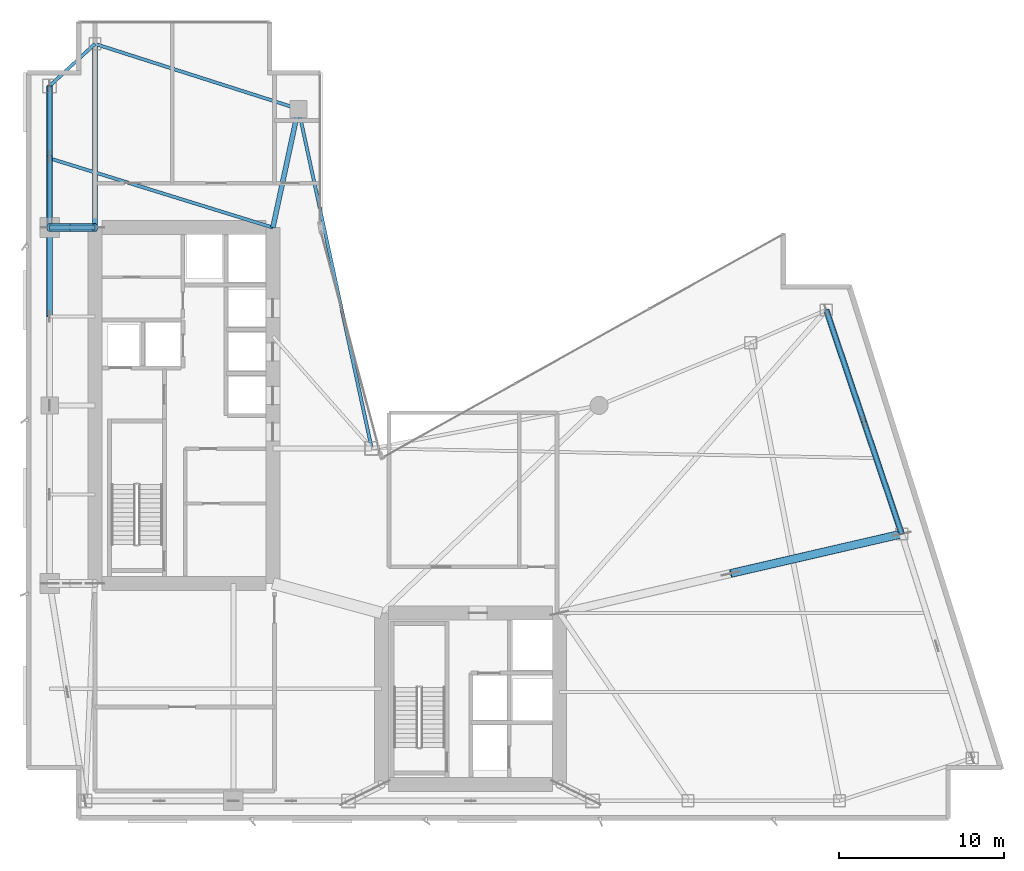
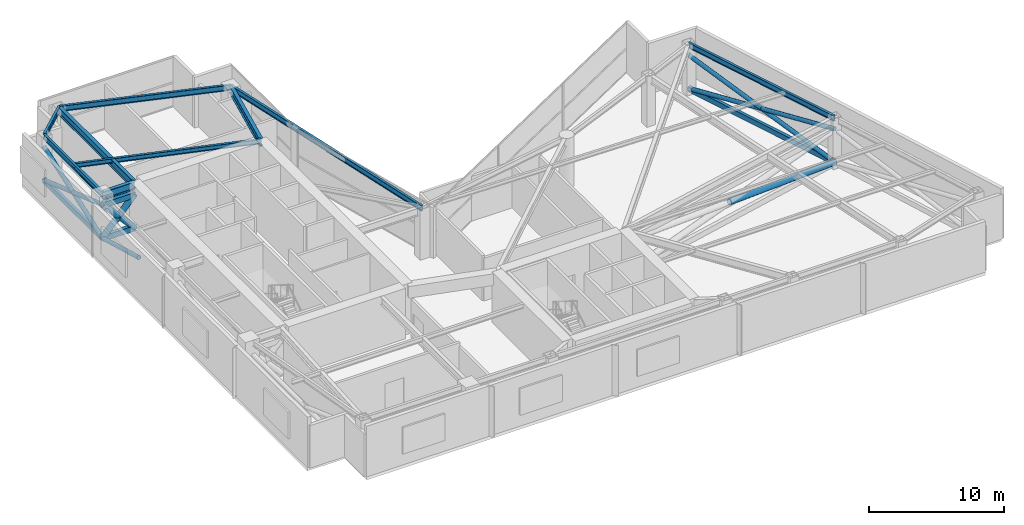
# One storey, part 7 of 19: 15 members, 9 beams.
"""IFC4 building model written with IfcOpenShell, lengths in metres."""

from ifc_helpers import new_model, si_unit, direction, frame, origin, origin_2d, place, context, subcontext, project, spatial, hollow_rectangle, hollow_circle, i_section, extrude, material, material_profile, profile_set, type_object, element, save


model = new_model("IFC4")

# Units and contexts
model_context = context("Model", 3, precision=1e-05, world=origin(), true_north=direction((0.0, 1.0)))
body_context = subcontext(model_context, "Body", "Model", "MODEL_VIEW")
ifc_project = project(units=[si_unit("LENGTHUNIT", "METRE"), si_unit("AREAUNIT", "SQUARE_METRE"), si_unit("VOLUMEUNIT", "CUBIC_METRE"), si_unit("PLANEANGLEUNIT", "RADIAN"), si_unit("MASSUNIT", "GRAM", prefix="KILO")], contexts=[model_context])

# Site, building, storey
site_placement = place(None, origin())
site = spatial("IfcSite", under=ifc_project, at=site_placement, CompositionType="ELEMENT")
building_placement = place(site_placement, origin())
building = spatial("IfcBuilding", under=site, at=building_placement, Name="Calvorn Quay Hotel", CompositionType="ELEMENT")
storey_placement = place(building_placement, frame((0.0, 0.0, 139.199951171875)))
storey = spatial("IfcBuildingStorey", under=building, at=storey_placement, Name="L34", CompositionType="ELEMENT", Elevation=139.199951171875)

# Beams
ifc_material_1 = material(Name="Steel Q390GJC", Category="steel")
ifc_material_profile_1 = material_profile(ifc_material_1, i_section(OverallWidth=0.300048828125, OverallDepth=0.699951171875, WebThickness=0.012939453125, FlangeThickness=0.02392578125, FilletRadius=0.02392578125, at=origin_2d()), Name="HN700x300x13x24")
ifc_profile_set_1 = profile_set([ifc_material_profile_1], Name="Steel Q390GJC")
beam_type_1 = type_object("IfcBeamType", Name="BM-GIRD-MAIN", PredefinedType="BEAM", material=ifc_profile_set_1)
beam_1_placement = place(storey_placement, frame((1.449951171875, 38.39990234375, 4.18994140625), z_axis=(1.0, 0.0, 0.0), x_axis=(0.0, 1.0, 0.0)))
element("IfcBeam", 1, at=beam_1_placement, inside=storey, type_object=beam_type_1, Name="Beam BG-L34-W3", PredefinedType="BEAM", context=body_context, shape_type="SweptSolid", body=[
    extrude(i_section(OverallWidth=0.300048828125, OverallDepth=0.699951171875, WebThickness=0.012939453125, FlangeThickness=0.02392578125, FilletRadius=0.02392578125, at=origin_2d()), origin(), (0.0, 0.0, 1.0), 2.75),
])
beam_2_placement = place(storey_placement, frame((4.199951171875, 49.550048828125, 4.18994140625), z_axis=(0.0, -1.0, 0.0), x_axis=(1.0, 0.0, 0.0)))
element("IfcBeam", 2, at=beam_2_placement, inside=storey, type_object=beam_type_1, Name="Beam BG-L34-W5", PredefinedType="BEAM", context=body_context, shape_type="SweptSolid", body=[
    extrude(i_section(OverallWidth=0.300048828125, OverallDepth=0.699951171875, WebThickness=0.012939453125, FlangeThickness=0.02392578125, FilletRadius=0.02392578125, at=origin_2d()), origin(), (0.0, 0.0, 1.0), 11.150146484375),
])
beam_3_placement = place(storey_placement, frame((16.550048828125, 45.60009765625, 4.18994140625), z_axis=(-0.210457140491, -0.97760308511, 0.0), x_axis=(0.97760308511, -0.210457140491, 0.0)))
element("IfcBeam", 3, at=beam_3_placement, inside=storey, type_object=beam_type_1, Name="Beam BG-L34-W6", PredefinedType="BEAM", context=body_context, shape_type="SweptSolid", body=[
    extrude(i_section(OverallWidth=0.300048828125, OverallDepth=0.699951171875, WebThickness=0.012939453125, FlangeThickness=0.02392578125, FilletRadius=0.02392578125, at=origin_2d()), origin(), (0.0, 0.0, 1.0), 7.365234375),
])
ifc_material_2 = material(Name="Steel Q355B", Category="steel")
ifc_material_profile_2 = material_profile(ifc_material_2, i_section(OverallWidth=0.199951171875, OverallDepth=0.39990234375, WebThickness=0.008056640625, FlangeThickness=0.012939453125, FilletRadius=0.01611328125, at=origin_2d()), Name="HN400x200x8x13")
ifc_profile_set_2 = profile_set([ifc_material_profile_2], Name="Steel Q355B")
beam_type_2 = type_object("IfcBeamType", Name="BM-JOIST-TYP", PredefinedType="JOIST", material=ifc_profile_set_2)
beam_4_placement = place(storey_placement, frame((1.449951171875, 42.60009765625, 4.340087890625), z_axis=(0.955163702122, -0.296078202759, 0.0), x_axis=(0.296078202759, 0.955163702122, 0.0)))
element("IfcBeam", 4, at=beam_4_placement, inside=storey, type_object=beam_type_2, Name="Beam BJ-L34-W2", PredefinedType="JOIST", context=body_context, shape_type="SweptSolid", body=[
    extrude(i_section(OverallWidth=0.199951171875, OverallDepth=0.39990234375, WebThickness=0.008056640625, FlangeThickness=0.012939453125, FilletRadius=0.01611328125, at=origin_2d()), origin(), (0.0, 0.0, 1.0), 14.18603515625),
])
ifc_material_3 = material(Name="Steel Q355B", Category="steel")
ifc_material_profile_3 = material_profile(ifc_material_3, i_section(OverallWidth=0.199951171875, OverallDepth=0.5, WebThickness=0.010009765625, FlangeThickness=0.01611328125, FilletRadius=0.01611328125, at=origin_2d()), Name="HN500x200x10x16")
ifc_profile_set_3 = profile_set([ifc_material_profile_3], Name="Steel Q355B")
beam_type_3 = type_object("IfcBeamType", Name="BM-SPANDREL-Z1", PredefinedType="SPANDREL", material=ifc_profile_set_3)
beam_5_placement = place(storey_placement, frame((1.449951171875, 38.39990234375, 4.2900390625), z_axis=(0.0, 1.0, 0.0), x_axis=(-1.0, 0.0, 0.0)))
element("IfcBeam", 5, at=beam_5_placement, inside=storey, type_object=beam_type_3, Name="Beam BSP-L34-W4", PredefinedType="SPANDREL", context=body_context, shape_type="SweptSolid", body=[
    extrude(i_section(OverallWidth=0.199951171875, OverallDepth=0.5, WebThickness=0.010009765625, FlangeThickness=0.01611328125, FilletRadius=0.01611328125, at=origin_2d()), origin(), (0.0, 0.0, 1.0), 8.60009765625),
])
beam_6_placement = place(storey_placement, frame((1.449951171875, 47.0, 4.2900390625), z_axis=(0.733261665538, 0.679946563969, 0.0), x_axis=(-0.679946563969, 0.733261665538, 0.0)))
element("IfcBeam", 6, at=beam_6_placement, inside=storey, type_object=beam_type_3, Name="Beam BSP-L34-W5", PredefinedType="SPANDREL", context=body_context, shape_type="SweptSolid", body=[
    extrude(i_section(OverallWidth=0.199951171875, OverallDepth=0.5, WebThickness=0.010009765625, FlangeThickness=0.01611328125, FilletRadius=0.01611328125, at=origin_2d()), origin(), (0.0, 0.0, 1.0), 3.75048828125),
])
beam_7_placement = place(storey_placement, frame((4.199951171875, 49.550048828125, 4.2900390625), z_axis=(0.952470702374, -0.304630203885, 0.0), x_axis=(0.304630203885, 0.952470702374, 0.0)))
element("IfcBeam", 7, at=beam_7_placement, inside=storey, type_object=beam_type_3, Name="Beam BSP-L34-W6", PredefinedType="SPANDREL", context=body_context, shape_type="SweptSolid", body=[
    extrude(i_section(OverallWidth=0.199951171875, OverallDepth=0.5, WebThickness=0.010009765625, FlangeThickness=0.01611328125, FilletRadius=0.01611328125, at=origin_2d()), origin(), (0.0, 0.0, 1.0), 12.96630859375),
])
beam_8_placement = place(storey_placement, frame((16.550048828125, 45.60009765625, 4.2900390625), z_axis=(0.211145848376, -0.977454567084, 0.0), x_axis=(0.977454567084, 0.211145848376, 0.0)))
element("IfcBeam", 8, at=beam_8_placement, inside=storey, type_object=beam_type_3, Name="Beam BSP-L34-W7", PredefinedType="SPANDREL", context=body_context, shape_type="SweptSolid", body=[
    extrude(i_section(OverallWidth=0.199951171875, OverallDepth=0.5, WebThickness=0.010009765625, FlangeThickness=0.01611328125, FilletRadius=0.01611328125, at=origin_2d()), origin(), (0.0, 0.0, 1.0), 21.0751953125),
])
beam_9_placement = place(storey_placement, frame((53.176025390625, 19.800048828125, 4.2900390625), z_axis=(-0.319466515944, 0.947597564998, 0.0), x_axis=(-0.947597564998, -0.319466515944, 0.0)))
element("IfcBeam", 9, at=beam_9_placement, inside=storey, type_object=beam_type_3, Name="Beam BSP-L34-E2", PredefinedType="SPANDREL", context=body_context, shape_type="SweptSolid", body=[
    extrude(i_section(OverallWidth=0.199951171875, OverallDepth=0.5, WebThickness=0.010009765625, FlangeThickness=0.01611328125, FilletRadius=0.01611328125, at=origin_2d()), origin(), (0.0, 0.0, 1.0), 14.35205078125),
])

# Members
ifc_material_4 = material(Name="Steel Q390GJC", Category="steel")
ifc_material_profile_4 = material_profile(ifc_material_4, hollow_rectangle(XDim=0.25, YDim=0.449951171875, WallThickness=0.01611328125, at=origin_2d()), Name="RHS450x250x16")
ifc_profile_set_4 = profile_set([ifc_material_profile_4], Name="Steel Q390GJC")
member_type_1 = type_object("IfcMemberType", Name="MEM-BELT-CHORD", PredefinedType="CHORD", material=ifc_profile_set_4)
member_1_placement = place(storey_placement, frame((1.449951171875, 38.39990234375, 0.35009765625), z_axis=(0.0, 1.0, 0.0), x_axis=(-1.0, 0.0, 0.0)))
element("IfcMember", 10, at=member_1_placement, inside=storey, type_object=member_type_1, Name="Belt Truss Chord L34-BW4", PredefinedType="CHORD", context=body_context, shape_type="SweptSolid", body=[
    extrude(hollow_rectangle(XDim=0.25, YDim=0.449951171875, WallThickness=0.01611328125, at=origin_2d()), origin(), (0.0, 0.0, 1.0), 8.60009765625),
])
member_2_placement = place(storey_placement, frame((53.176025390625, 19.800048828125, 0.35009765625), z_axis=(-0.319466515944, 0.947597564998, 0.0), x_axis=(-0.947597564998, -0.319466515944, 0.0)))
element("IfcMember", 11, at=member_2_placement, inside=storey, type_object=member_type_1, Name="Belt Truss Chord L34-BE2", PredefinedType="CHORD", context=body_context, shape_type="SweptSolid", body=[
    extrude(hollow_rectangle(XDim=0.25, YDim=0.449951171875, WallThickness=0.01611328125, at=origin_2d()), origin(), (0.0, 0.0, 1.0), 14.35205078125),
])
ifc_material_5 = material(Name="Steel Q390GJC", Category="steel")
ifc_material_profile_5 = material_profile(ifc_material_5, hollow_circle(Radius=0.177978515625, WallThickness=0.013916015625, at=origin_2d()), Name="CHS356x14")
ifc_profile_set_5 = profile_set([ifc_material_profile_5], Name="Steel Q390GJC")
member_type_2 = type_object("IfcMemberType", Name="MEM-BELT-DIAG", PredefinedType="BRACE", material=ifc_profile_set_5)
member_3_placement = place(storey_placement, frame((1.449951171875, 33.0, 1.844970703125), z_axis=(0.0, 0.96375226012, -0.266798765201), x_axis=(-1.0, 0.0, 0.0)))
element("IfcMember", 12, at=member_3_placement, inside=storey, type_object=member_type_2, Name="Belt Truss Split Brace B2 L34-BW3", PredefinedType="BRACE", context=body_context, shape_type="SweptSolid", body=[
    extrude(hollow_circle(Radius=0.177978515625, WallThickness=0.013916015625, at=origin_2d()), origin(), (0.0, 0.0, 1.0), 5.60302734375),
])
member_4_placement = place(storey_placement, frame((1.449951171875, 38.39990234375, 0.35009765625), z_axis=(0.0, 0.944542728138, 0.328388542313), x_axis=(-1.0, 0.0, 0.0)))
element("IfcMember", 13, at=member_4_placement, inside=storey, type_object=member_type_2, Name="Belt Truss Continuous Brace L34-BW4A", PredefinedType="BRACE", context=body_context, shape_type="SweptSolid", body=[
    extrude(hollow_circle(Radius=0.177978515625, WallThickness=0.013916015625, at=origin_2d()), origin(), (0.0, 0.0, 1.0), 9.10498046875),
])
for number, where, z_axis, x_axis, name in (
    (14, (1.449951171875, 38.39990234375, 3.340087890625), (0.0, 0.944534410885, -0.328412464217), (-1.0, 0.0, 0.0), "Belt Truss Split Brace B1 L34-BW4"),
    (15, (1.449951171875, 42.699951171875, 1.844970703125), (0.0, 0.944551044931, -0.328364619776), (-1.0, 0.0, 0.0), "Belt Truss Split Brace B2 L34-BW4"),
):
    element("IfcMember", number, at=place(storey_placement, frame(where, z_axis=z_axis, x_axis=x_axis)), inside=storey, type_object=member_type_2, Name=name, PredefinedType="BRACE", context=body_context, shape_type="SweptSolid", body=[
        extrude(hollow_circle(Radius=0.177978515625, WallThickness=0.013916015625, at=origin_2d()), origin(), (0.0, 0.0, 1.0), 4.552490234375),
    ])
member_5_placement = place(storey_placement, frame((53.176025390625, 19.800048828125, 0.35009765625), z_axis=(-0.312751442521, 0.927679398596, 0.203954574896), x_axis=(-0.947597564998, -0.319466515944, 0.0)))
element("IfcMember", 16, at=member_5_placement, inside=storey, type_object=member_type_2, Name="Belt Truss Continuous Brace L34-BE2A", PredefinedType="BRACE", context=body_context, shape_type="SweptSolid", body=[
    extrude(hollow_circle(Radius=0.177978515625, WallThickness=0.013916015625, at=origin_2d()), origin(), (0.0, 0.0, 1.0), 14.66015625),
])
member_6_placement = place(storey_placement, frame((53.176025390625, 19.800048828125, 3.340087890625), z_axis=(-0.312805643857, 0.927659241733, -0.2039631349), x_axis=(-0.947578701521, -0.319522463098, 0.0)))
element("IfcMember", 17, at=member_6_placement, inside=storey, type_object=member_type_2, Name="Belt Truss Split Brace B1 L34-BE2", PredefinedType="BRACE", context=body_context, shape_type="SweptSolid", body=[
    extrude(hollow_circle(Radius=0.177978515625, WallThickness=0.013916015625, at=origin_2d()), origin(), (0.0, 0.0, 1.0), 7.330322265625),
])
member_7_placement = place(storey_placement, frame((50.883056640625, 26.60009765625, 1.844970703125), z_axis=(-0.312697235814, 0.927699553888, -0.203946013516), x_axis=(-0.9476164266, -0.31941056344, 0.0)))
element("IfcMember", 18, at=member_7_placement, inside=storey, type_object=member_type_2, Name="Belt Truss Split Brace B2 L34-BE2", PredefinedType="BRACE", context=body_context, shape_type="SweptSolid", body=[
    extrude(hollow_circle(Radius=0.177978515625, WallThickness=0.013916015625, at=origin_2d()), origin(), (0.0, 0.0, 1.0), 7.329833984375),
])
ifc_material_6 = material(Name="Steel Q390GJC", Category="steel")
ifc_material_profile_6 = material_profile(ifc_material_6, hollow_rectangle(XDim=0.300048828125, YDim=0.5, WallThickness=0.02001953125, at=origin_2d()), Name="RHS500x300x20")
ifc_profile_set_6 = profile_set([ifc_material_profile_6], Name="Steel Q390GJC")
member_type_3 = type_object("IfcMemberType", Name="MEM-OUTRIGGER-CHORD", PredefinedType="CHORD", material=ifc_profile_set_6)
for number, where, z_axis, x_axis, name in (
    (19, (4.199951171875, 38.39990234375, 3.340087890625), (-1.0, 0.0, 0.0), (0.0, -1.0, 0.0), "Outrigger Top Chord L34-OW2"),
    (20, (4.199951171875, 38.39990234375, 0.35009765625), (-1.0, 0.0, 0.0), (0.0, -1.0, 0.0), "Outrigger Bottom Chord L34-OW2"),
):
    element("IfcMember", number, at=place(storey_placement, frame(where, z_axis=z_axis, x_axis=x_axis)), inside=storey, type_object=member_type_3, Name=name, PredefinedType="CHORD", context=body_context, shape_type="SweptSolid", body=[
        extrude(hollow_rectangle(XDim=0.300048828125, YDim=0.5, WallThickness=0.02001953125, at=origin_2d()), origin(), (0.0, 0.0, 1.0), 2.75),
    ])
ifc_material_7 = material(Name="Steel Q390GJC", Category="steel")
ifc_material_profile_7 = material_profile(ifc_material_7, hollow_circle(Radius=0.25, WallThickness=0.02001953125, at=origin_2d()), Name="CHS500x20")
ifc_profile_set_7 = profile_set([ifc_material_profile_7], Name="Steel Q390GJC")
member_type_4 = type_object("IfcMemberType", Name="MEM-OUTRIGGER-DIAG1", PredefinedType="BRACE", material=ifc_profile_set_7)
member_8_placement = place(storey_placement, frame((4.199951171875, 38.39990234375, 0.35009765625), z_axis=(-0.67695106482, 0.0, 0.736028026531), x_axis=(0.0, -1.0, 0.0)))
element("IfcMember", 21, at=member_8_placement, inside=storey, type_object=member_type_4, Name="Outrigger Continuous Diagonal L34-OW2", PredefinedType="BRACE", context=body_context, shape_type="SweptSolid", body=[
    extrude(hollow_circle(Radius=0.25, WallThickness=0.02001953125, at=origin_2d()), origin(), (0.0, 0.0, 1.0), 4.062255859375),
])
member_9_placement = place(storey_placement, frame((4.199951171875, 38.39990234375, 3.340087890625), z_axis=(-0.67692112114, 0.0, -0.736055565671), x_axis=(0.0, -1.0, 0.0)))
element("IfcMember", 22, at=member_9_placement, inside=storey, type_object=member_type_4, Name="Outrigger Split Diagonal A L34-OW2", PredefinedType="BRACE", context=body_context, shape_type="SweptSolid", body=[
    extrude(hollow_circle(Radius=0.25, WallThickness=0.02001953125, at=origin_2d()), origin(), (0.0, 0.0, 1.0), 2.03125),
])
member_10_placement = place(storey_placement, frame((2.824951171875, 38.39990234375, 1.844970703125), z_axis=(-0.676981010029, 0.0, -0.736000483737), x_axis=(0.0, -1.0, 0.0)))
element("IfcMember", 23, at=member_10_placement, inside=storey, type_object=member_type_4, Name="Outrigger Split Diagonal B L34-OW2", PredefinedType="BRACE", context=body_context, shape_type="SweptSolid", body=[
    extrude(hollow_circle(Radius=0.25, WallThickness=0.02001953125, at=origin_2d()), origin(), (0.0, 0.0, 1.0), 2.031005859375),
])
member_11_placement = place(storey_placement, frame((42.7880859375, 17.39990234375, 1.844970703125), z_axis=(0.9648926728, 0.222939666415, -0.138852566113), x_axis=(-0.225120393239, 0.974330954321, 0.0)))
element("IfcMember", 24, at=member_11_placement, inside=storey, type_object=member_type_4, Name="Outrigger Split Diagonal B L34-OE3", PredefinedType="BRACE", context=body_context, shape_type="SweptSolid", body=[
    extrude(hollow_circle(Radius=0.25, WallThickness=0.02001953125, at=origin_2d()), origin(), (0.0, 0.0, 1.0), 10.765869140625),
])

save(model, "model.ifc")
